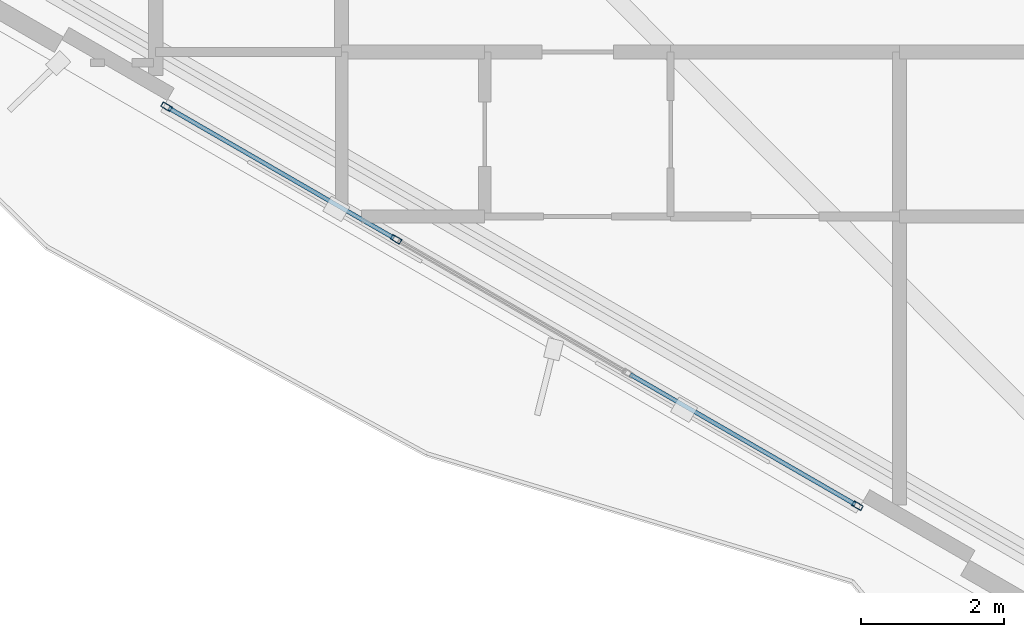
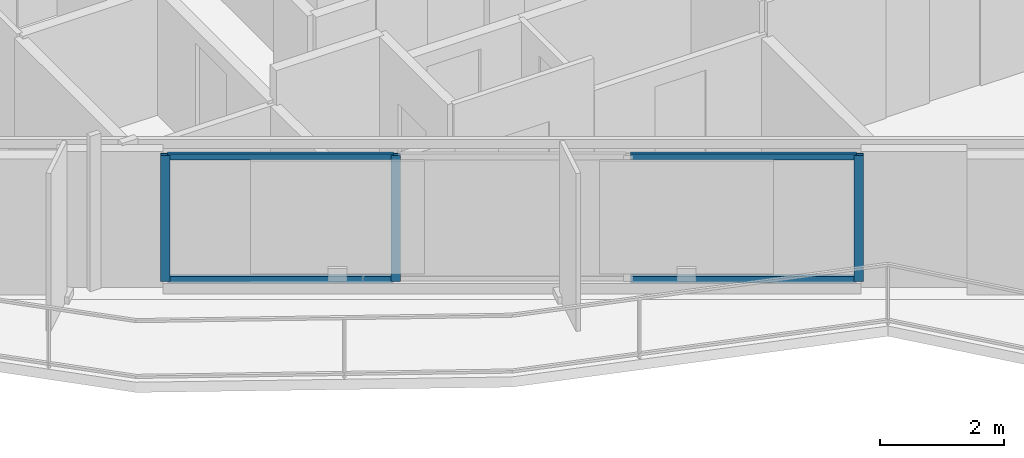
# One storey, part 2 of 23: 7 members, 1 element without a shape of its own.
"""IFC4 building model written with IfcOpenShell, lengths in metres."""

from ifc_helpers import new_model, si_unit, direction, frame, origin, origin_2d, place, context, subcontext, project, spatial, hollow_rectangle, extrude, material, layer, layer_set, material_profile, profile_set, type_object, element, aggregate, save


model = new_model("IFC4")

# Units and contexts
model_context = context("Model", 3, precision=1e-05, world=origin(), true_north=direction((0.0, 1.0)))
body_context = subcontext(model_context, "Body", "Model", "MODEL_VIEW")
ifc_project = project(units=[si_unit("LENGTHUNIT", "METRE"), si_unit("AREAUNIT", "SQUARE_METRE"), si_unit("VOLUMEUNIT", "CUBIC_METRE"), si_unit("PLANEANGLEUNIT", "RADIAN"), si_unit("MASSUNIT", "GRAM", prefix="KILO")], contexts=[model_context])

# Site, building, storey
site_placement = place(None, origin())
site = spatial("IfcSite", under=ifc_project, at=site_placement, CompositionType="ELEMENT")
building_placement = place(site_placement, origin())
building = spatial("IfcBuilding", under=site, at=building_placement, Name="Mersakhor Tower and Convention Hall", CompositionType="ELEMENT")
storey_placement = place(building_placement, frame((0.0, 0.0, 96.60009765625)))
storey = spatial("IfcBuildingStorey", under=building, at=storey_placement, Name="L26", CompositionType="ELEMENT", Elevation=96.60009765625)

# Curtain wall, members
ifc_material_1 = material(Name="Dark solar low-E aluminium curtain wall", Category="aluminium")
ifc_layer = layer(ifc_material_1, 0.159912109375)
ifc_layer_set = layer_set([ifc_layer], Name="Dark solar low-E aluminium curtain wall")
curtain_wall_type = type_object("IfcCurtainWallType", Name="CW-SYS-01", PredefinedType="USERDEFINED", material=ifc_layer_set)
curtain_wall_placement = place(storey_placement, origin())
curtain_wall = element("IfcCurtainWall", 1, at=curtain_wall_placement, inside=storey, type_object=curtain_wall_type, Name="L26 Dark-Glass Curtain Wall F3-B2", ObjectType="CURTAIN WALL", PredefinedType="USERDEFINED")
ifc_material_2 = material(Name="Anodised aluminium EN AW-6063 T6", Category="aluminium")
ifc_material_profile_1 = material_profile(ifc_material_2, hollow_rectangle(XDim=0.074951171875, YDim=0.14990234375, WallThickness=0.00634765625, at=origin_2d()), Name="RHS 150x75x6.3")
ifc_profile_set_1 = profile_set([ifc_material_profile_1], Name="Anodised aluminium EN AW-6063 T6")
member_type_1 = type_object("IfcMemberType", Name="CWM-150x75", PredefinedType="MULLION", material=ifc_profile_set_1)
member_1_placement = place(storey_placement, frame((26.812744140625, 11.80712890625, 0.199951171875), z_axis=(0.0, 0.0, 1.0), x_axis=(-0.499997904985, -0.866026613339, 0.0)))
member_1 = element("IfcMember", 2, at=member_1_placement, type_object=member_type_1, Name="CW-01 mullion 1", PredefinedType="MULLION", context=body_context, shape_type="SweptSolid", body=[
    extrude(hollow_rectangle(XDim=0.074951171875, YDim=0.14990234375, WallThickness=0.00634765625, at=origin_2d()), origin(), (0.0, 0.0, 1.0), 2.469970703125),
])
member_2_placement = place(storey_placement, frame((20.36181640625, 15.531494140625, 0.199951171875), z_axis=(0.0, 0.0, 1.0), x_axis=(-0.499997904985, -0.866026613339, 0.0)))
member_2 = element("IfcMember", 3, at=member_2_placement, type_object=member_type_1, Name="CW-01 mullion 3", PredefinedType="MULLION", context=body_context, shape_type="SweptSolid", body=[
    extrude(hollow_rectangle(XDim=0.074951171875, YDim=0.14990234375, WallThickness=0.00634765625, at=origin_2d()), origin(), (0.0, 0.0, 1.0), 2.469970703125),
])
member_3_placement = place(storey_placement, frame((17.152587890625, 17.38427734375, 0.199951171875), z_axis=(0.0, 0.0, 1.0), x_axis=(-0.499997904985, -0.866026613339, 0.0)))
member_3 = element("IfcMember", 4, at=member_3_placement, type_object=member_type_1, Name="CW-01 mullion 4", PredefinedType="MULLION", context=body_context, shape_type="SweptSolid", body=[
    extrude(hollow_rectangle(XDim=0.074951171875, YDim=0.14990234375, WallThickness=0.00634765625, at=origin_2d()), origin(), (0.0, 0.0, 1.0), 2.469970703125),
])
ifc_material_3 = material(Name="Anodised aluminium EN AW-6063 T6", Category="aluminium")
ifc_material_profile_2 = material_profile(ifc_material_3, hollow_rectangle(XDim=0.06005859375, YDim=0.1201171875, WallThickness=0.0048828125, at=origin_2d()), Name="RHS 120x60x5")
ifc_profile_set_2 = profile_set([ifc_material_profile_2], Name="Anodised aluminium EN AW-6063 T6")
member_type_2 = type_object("IfcMemberType", Name="CWT-120x60", PredefinedType="USERDEFINED", material=ifc_profile_set_2)
member_4_placement = place(storey_placement, frame((26.7802734375, 11.82568359375, 0.22998046875), z_axis=(-0.866016497289, 0.500015426185, 0.0), x_axis=(-0.500015426185, -0.866016497289, 0.0)))
member_4 = element("IfcMember", 5, at=member_4_placement, type_object=member_type_2, Name="CW-01 transom 1.1", ObjectType="TRANSOM", PredefinedType="USERDEFINED", context=body_context, shape_type="SweptSolid", body=[
    extrude(hollow_rectangle(XDim=0.06005859375, YDim=0.1201171875, WallThickness=0.0048828125, at=origin_2d()), origin(), (0.0, 0.0, 1.0), 3.630859375),
])
member_5_placement = place(storey_placement, frame((26.7802734375, 11.82568359375, 2.639892578125), z_axis=(-0.866016497289, 0.500015426185, 0.0), x_axis=(-0.500015426185, -0.866016497289, 0.0)))
member_5 = element("IfcMember", 6, at=member_5_placement, type_object=member_type_2, Name="CW-01 transom 1.2", ObjectType="TRANSOM", PredefinedType="USERDEFINED", context=body_context, shape_type="SweptSolid", body=[
    extrude(hollow_rectangle(XDim=0.06005859375, YDim=0.1201171875, WallThickness=0.0048828125, at=origin_2d()), origin(), (0.0, 0.0, 1.0), 3.630859375),
])
member_6_placement = place(storey_placement, frame((20.329345703125, 15.55029296875, 0.22998046875), z_axis=(-0.866045614266, 0.499964992784, 0.0), x_axis=(-0.499964992784, -0.866045614266, 0.0)))
member_6 = element("IfcMember", 7, at=member_6_placement, type_object=member_type_2, Name="CW-01 transom 3.1", ObjectType="TRANSOM", PredefinedType="USERDEFINED", context=body_context, shape_type="SweptSolid", body=[
    extrude(hollow_rectangle(XDim=0.06005859375, YDim=0.1201171875, WallThickness=0.0048828125, at=origin_2d()), origin(), (0.0, 0.0, 1.0), 3.630615234375),
])
member_7_placement = place(storey_placement, frame((20.329345703125, 15.55029296875, 2.639892578125), z_axis=(-0.866045614266, 0.499964992784, 0.0), x_axis=(-0.499964992784, -0.866045614266, 0.0)))
member_7 = element("IfcMember", 8, at=member_7_placement, type_object=member_type_2, Name="CW-01 transom 3.2", ObjectType="TRANSOM", PredefinedType="USERDEFINED", context=body_context, shape_type="SweptSolid", body=[
    extrude(hollow_rectangle(XDim=0.06005859375, YDim=0.1201171875, WallThickness=0.0048828125, at=origin_2d()), origin(), (0.0, 0.0, 1.0), 3.630615234375),
])
aggregate(curtain_wall, [member_1, member_2, member_3, member_4, member_5, member_6, member_7])

save(model, "model.ifc")
